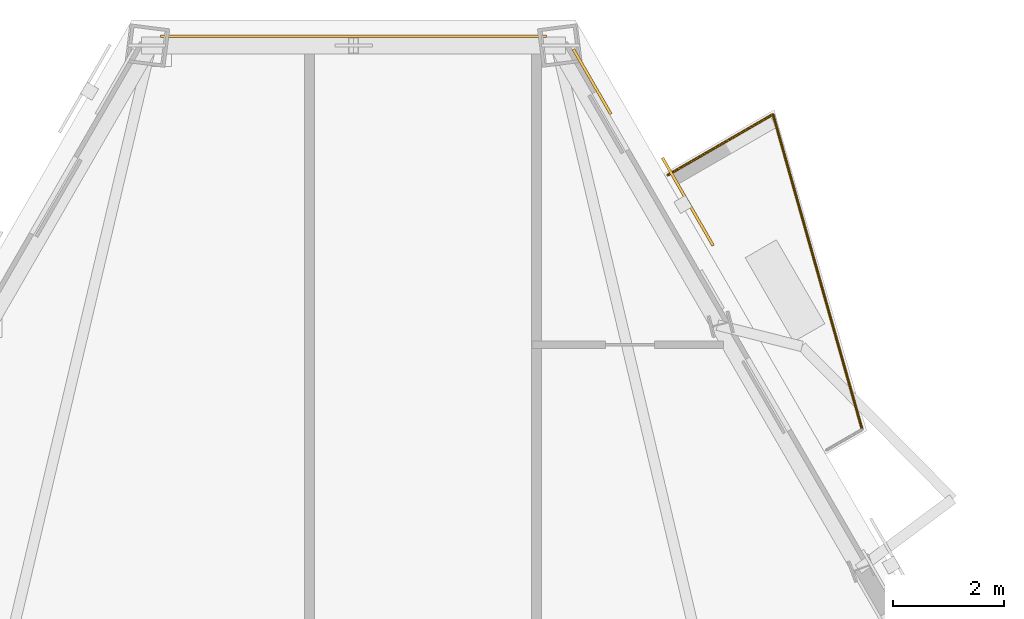
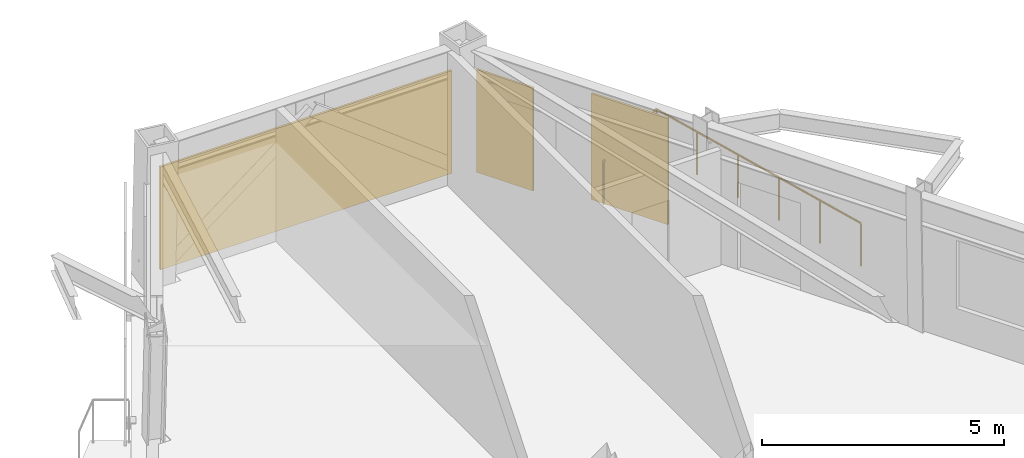
# One storey, part 13 of 13: 2 coverings, 2 railings, 1 shading device.
"""IFC4 building model written with IfcOpenShell, lengths in metres."""

from ifc_helpers import new_model, si_unit, direction, frame, origin, origin_2d, place, context, subcontext, project, spatial, rectangle, circle, extrude, material, layer, layer_set, type_object, element, save


model = new_model("IFC4")

# Units and contexts
model_context = context("Model", 3, precision=1e-05, world=origin(), true_north=direction((0.0, 1.0)))
body_context = subcontext(model_context, "Body", "Model", "MODEL_VIEW")
ifc_project = project(units=[si_unit("LENGTHUNIT", "METRE"), si_unit("AREAUNIT", "SQUARE_METRE"), si_unit("VOLUMEUNIT", "CUBIC_METRE"), si_unit("PLANEANGLEUNIT", "RADIAN"), si_unit("MASSUNIT", "GRAM", prefix="KILO")], contexts=[model_context])

# Site, building, storey
site_placement = place(None, origin())
site = spatial("IfcSite", under=ifc_project, at=site_placement, CompositionType="ELEMENT")
building_placement = place(site_placement, origin())
building = spatial("IfcBuilding", under=site, at=building_placement, Name="Oramaril Tower", CompositionType="ELEMENT")
storey_placement = place(building_placement, frame((0.0, 0.0, 197.39990234375)))
storey = spatial("IfcBuildingStorey", under=building, at=storey_placement, Name="L52", CompositionType="ELEMENT", Elevation=197.39990234375)

# Coverings
ifc_material_1 = material(Name="Warm Cream Limestone", Category="masonry")
ifc_layer = layer(ifc_material_1, 0.050048828125)
ifc_layer_set = layer_set([ifc_layer], Name="CVT-CLD")
covering_type = type_object("IfcCoveringType", Name="CVT-CLD", PredefinedType="CLADDING", material=ifc_layer_set)
covering_1_placement = place(storey_placement, frame((41.80419921875, 42.557861328125, 0.0400390625), z_axis=(0.0, 0.0, 1.0), x_axis=(-0.5, 0.866025403784, 0.0)))
element("IfcCovering", 1, at=covering_1_placement, inside=storey, type_object=covering_type, Name="L52 Warm Cream Limestone Cladding", PredefinedType="CLADDING", context=body_context, shape_type="SweptSolid", body=[
    extrude(rectangle(XDim=1.35009765625, YDim=0.050048828125, at=origin_2d()), origin(), (0.0, 0.0, 1.0), 2.596923828125),
])
covering_2_placement = place(storey_placement, frame((37.5, 43.3779296875, 0.0400390625), z_axis=(0.0, 0.0, 1.0), x_axis=(-1.0, 0.0, 0.0)))
element("IfcCovering", 2, at=covering_2_placement, inside=storey, type_object=covering_type, Name="L52 Warm Cream Limestone Cladding", PredefinedType="CLADDING", context=body_context, shape_type="SweptSolid", body=[
    extrude(rectangle(XDim=6.967529296875, YDim=0.050048828125, at=origin_2d()), origin(), (0.0, 0.0, 1.0), 2.596923828125),
])

# Railings
ifc_material_2 = material(Name="Stainless Steel 316L", Category="steel")
railing_type = type_object("IfcRailingType", Name="RLT-GRD", PredefinedType="GUARDRAIL", material=ifc_material_2)
railing_1_placement = place(storey_placement, frame((43.1708984375, 40.87060546875, 0.0)))
element("IfcRailing", 3, at=railing_1_placement, inside=storey, type_object=railing_type, Name="L52 Balcony Guardrail L52-BAL-NE2.1", PredefinedType="GUARDRAIL", context=body_context, shape_type="SweptSolid", body=[
    extrude(circle(Radius=0.02392578125, at=origin_2d()), frame((0.0, 0.0, 1.076171875), z_axis=(0.866048343933, 0.499960264392, 0.0), x_axis=(-0.499960264392, 0.866048343933, 0.0)), (0.0, 0.0, 1.0), 2.192138671875),
    extrude(circle(Radius=0.02099609375, at=origin_2d()), origin(), (0.0, 0.0, 1.0), 1.052001953125),
    extrude(circle(Radius=0.02099609375, at=origin_2d()), frame((0.94921875, 0.5478515625, 0.0)), (0.0, 0.0, 1.0), 1.052001953125),
    extrude(circle(Radius=0.02099609375, at=origin_2d()), frame((1.8984375, 1.095947265625, 0.0)), (0.0, 0.0, 1.0), 1.052001953125),
])
railing_2_placement = place(storey_placement, frame((45.0693359375, 41.966552734375, 0.0)))
element("IfcRailing", 4, at=railing_2_placement, inside=storey, type_object=railing_type, Name="L52 Balcony Guardrail L52-BAL-NE2.2", PredefinedType="GUARDRAIL", context=body_context, shape_type="SweptSolid", body=[
    extrude(circle(Radius=0.02392578125, at=origin_2d()), frame((0.0, 0.0, 1.076171875), z_axis=(0.27224886544, -0.962226873074, 0.0), x_axis=(0.962226873074, 0.27224886544, 0.0)), (0.0, 0.0, 1.0), 5.910400390625),
    extrude(circle(Radius=0.02099609375, at=origin_2d()), origin(), (0.0, 0.0, 1.0), 1.052001953125),
    extrude(circle(Radius=0.02099609375, at=origin_2d()), frame((0.32177734375, -1.137451171875, 0.0)), (0.0, 0.0, 1.0), 1.052001953125),
    extrude(circle(Radius=0.02099609375, at=origin_2d()), frame((0.6435546875, -2.27490234375, 0.0)), (0.0, 0.0, 1.0), 1.052001953125),
    extrude(circle(Radius=0.02099609375, at=origin_2d()), frame((0.965576171875, -3.412353515625, 0.0)), (0.0, 0.0, 1.0), 1.052001953125),
    extrude(circle(Radius=0.02099609375, at=origin_2d()), frame((1.287353515625, -4.5498046875, 0.0)), (0.0, 0.0, 1.0), 1.052001953125),
    extrude(circle(Radius=0.02099609375, at=origin_2d()), frame((1.609130859375, -5.687255859375, 0.0)), (0.0, 0.0, 1.0), 1.052001953125),
])

# Shading device
shading_device_placement = place(storey_placement, frame((43.531494140625, 40.39013671875, -0.02001953125), z_axis=(0.0, 0.0, 1.0), x_axis=(-0.4999984885, 0.866026276448, 0.0)))
element("IfcShadingDevice", 5, at=shading_device_placement, inside=storey, Name="L52 Perforated Ceramic Solar Screen", ObjectType="SCREEN", PredefinedType="USERDEFINED", context=body_context, shape_type="SweptSolid", body=[
    extrude(rectangle(XDim=1.8330078125, YDim=0.050048828125, at=origin_2d()), origin(), (0.0, 0.0, 1.0), 2.677001953125),
])

save(model, "model.ifc")
